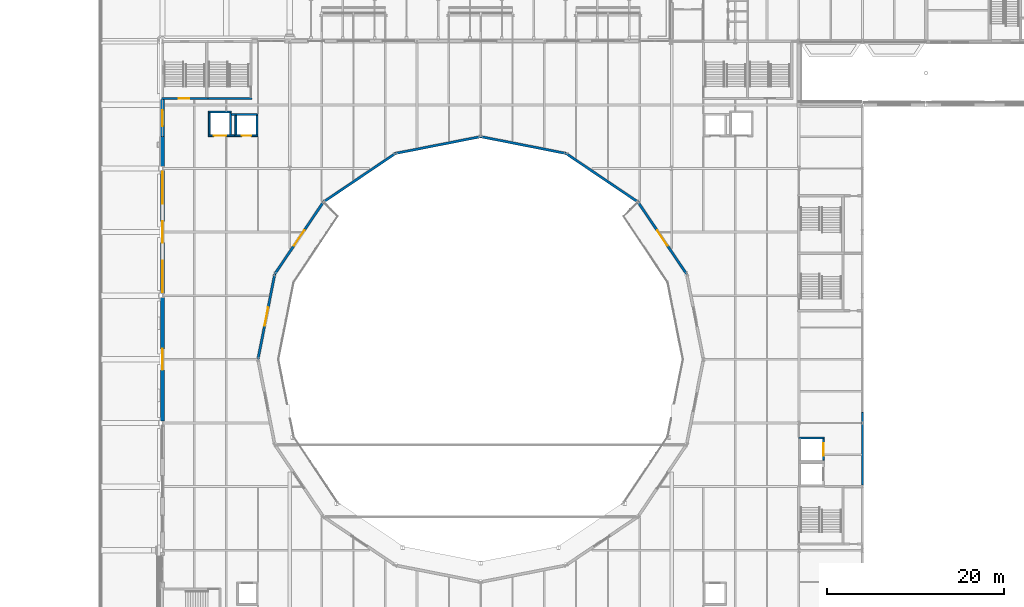
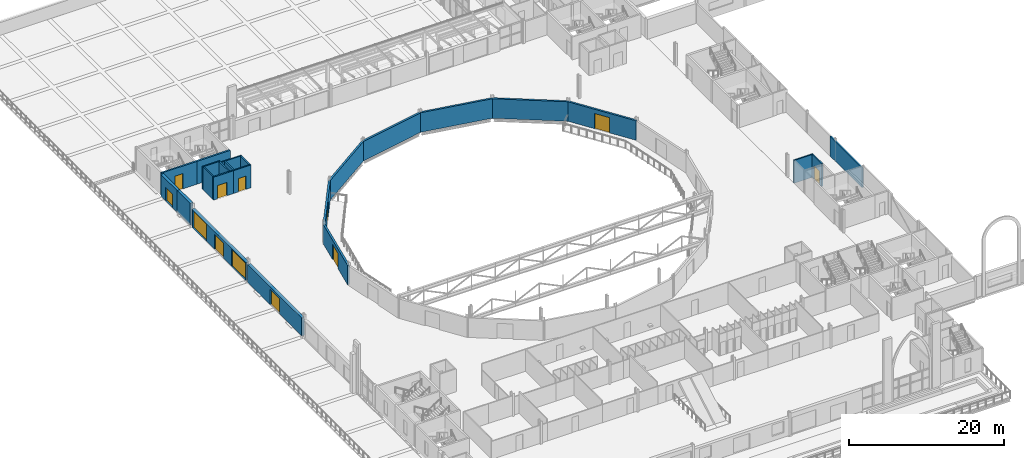
# One storey, part 74 of 143: 24 walls, 12 doors, 12 openings.
"""IFC4 building model written with IfcOpenShell, lengths in metres."""

import ifcopenshell
import ifcopenshell.guid

model = None  # the IFC model being written
_history = None  # IfcOwnerHistory: only IFC2X3 demands one
_inside = {}  # id of a spatial element -> (the spatial element, [elements in it])
_under = {}  # id of a project, library or spatial element -> (it, [spatial elements below it])
_declared = {}  # id of a project -> (the project, [libraries it declares])
_typed = {}  # id of a type object -> (the type object, [elements of that type])
_made_of = {}  # id of a material, layer set ... -> (it, [elements and type objects made of it])


def new_model(schema):
    """Start an empty IFC model of exactly this schema.

    Asked for "IFC4X3", IfcOpenShell would pick the latest addendum, in which some entities
    have other attributes; the version numbers below select the first issue.
    IFC2X3 requires an IfcOwnerHistory on every rooted entity: one is made here for all.
    """
    global model, _history
    if schema == "IFC4X3":
        model = ifcopenshell.file(schema_version=(4, 3, 0, 0))
    else:
        model = ifcopenshell.file(schema=schema)
    _inside.clear()
    _under.clear()
    _declared.clear()
    _typed.clear()
    _made_of.clear()
    _history = None
    if model.schema == "IFC2X3":
        org = make("IfcOrganization", Name="unknown")
        user = make(
            "IfcPersonAndOrganization",
            ThePerson=make("IfcPerson", FamilyName="unknown"),
            TheOrganization=org,
        )
        app = make(
            "IfcApplication",
            ApplicationDeveloper=org,
            Version="unknown",
            ApplicationFullName="unknown",
            ApplicationIdentifier="unknown",
        )
        _history = make(
            "IfcOwnerHistory",
            OwningUser=user,
            OwningApplication=app,
            ChangeAction="ADDED",
            CreationDate=0,
        )
    return model


def make(cls, **values):
    """One entity of the class cls with the attributes given. An attribute that is None is left unset."""
    return model.create_entity(
        cls, **{name: value for name, value in values.items() if value is not None}
    )


def rooted(cls, **values):
    """An entity with a GlobalId (a new one), such as an element, a storey or a relation."""
    return make(cls, GlobalId=ifcopenshell.guid.new(), OwnerHistory=_history, **values)


def si_unit(unit_type, name, prefix=None):
    """IfcSIUnit, for example si_unit("LENGTHUNIT", "METRE", prefix="MILLI")."""
    return make("IfcSIUnit", UnitType=unit_type, Prefix=prefix, Name=name)


def assignment(units):
    """IfcUnitAssignment: the units of a project."""
    return None if units is None else make("IfcUnitAssignment", Units=units)


def point(xyz):
    """IfcCartesianPoint."""
    return None if xyz is None else make("IfcCartesianPoint", Coordinates=xyz)


def direction(xyz):
    """IfcDirection."""
    return None if xyz is None else make("IfcDirection", DirectionRatios=xyz)


def frame(location, z_axis=None, x_axis=None):
    """IfcAxis2Placement3D, a coordinate frame: its origin and axes. An axis left out is left unset."""
    return make(
        "IfcAxis2Placement3D",
        Location=point(location),
        Axis=direction(z_axis),
        RefDirection=direction(x_axis),
    )


def frame_2d(location, x_axis=None):
    """IfcAxis2Placement2D, a coordinate frame in the plane: its origin and x axis."""
    return make(
        "IfcAxis2Placement2D", Location=point(location), RefDirection=direction(x_axis)
    )


def origin():
    """The frame at (0, 0, 0) with its axes left unset."""
    return frame((0.0, 0.0, 0.0))


def place(relative_to, where):
    """IfcLocalPlacement: puts the frame where relative to a parent placement (None: the world)."""
    return make(
        "IfcLocalPlacement", PlacementRelTo=relative_to, RelativePlacement=where
    )


def context(
    kind, dimensions, precision=None, world=None, true_north=None, identifier=None
):
    """IfcGeometricRepresentationContext, for example the 3D "Model" context."""
    return make(
        "IfcGeometricRepresentationContext",
        ContextIdentifier=identifier,
        ContextType=kind,
        CoordinateSpaceDimension=dimensions,
        Precision=precision,
        WorldCoordinateSystem=world,
        TrueNorth=true_north,
    )


def subcontext(parent, identifier, kind, view, scale=None):
    """IfcGeometricRepresentationSubContext, for example "Body" below "Model"."""
    return make(
        "IfcGeometricRepresentationSubContext",
        ContextIdentifier=identifier,
        ContextType=kind,
        ParentContext=parent,
        TargetScale=scale,
        TargetView=view,
    )


def project(units=None, contexts=None):
    """IfcProject with its units and contexts."""
    return rooted(
        "IfcProject",
        Name="project",
        RepresentationContexts=contexts,
        UnitsInContext=assignment(units),
    )


def spatial(cls, under=None, at=None, **own):
    """A site, building, storey or space (cls), placed at a placement, below another one or the project."""
    s = rooted(cls, ObjectPlacement=at, **own)
    if under is not None:
        _under.setdefault(under.id(), (under, []))[1].append(s)
    return s


def profile(cls, at=None, kind="AREA", **sizes):
    """A parametric profile (cls). Its sizes go by their IFC names, for example OverallWidth=200.0."""
    return make(cls, ProfileType=kind, Position=at, **sizes)


def rectangle(**sizes):
    """IfcRectangleProfileDef."""
    return profile("IfcRectangleProfileDef", **sizes)


def extrude(swept, where, along, depth):
    """IfcExtrudedAreaSolid: the profile swept, set in the frame where, extruded along a direction by depth."""
    return make(
        "IfcExtrudedAreaSolid",
        SweptArea=swept,
        Position=where,
        ExtrudedDirection=direction(along),
        Depth=depth,
    )


def shape(context_of_items, identifier, shape_type, items):
    """IfcShapeRepresentation: the items that make up one representation, for example the "Body"."""
    return make(
        "IfcShapeRepresentation",
        ContextOfItems=context_of_items,
        RepresentationIdentifier=identifier,
        RepresentationType=shape_type,
        Items=items,
    )


def material(Name=None, Category=None):
    """IfcMaterial."""
    return make("IfcMaterial", Name=Name, Category=Category)


def layer(
    of_material, thickness, ventilated=None, Name=None, Category=None, Priority=None
):
    """IfcMaterialLayer: one layer of a wall or slab, of a material (None: an air gap)."""
    return make(
        "IfcMaterialLayer",
        Material=of_material,
        LayerThickness=thickness,
        IsVentilated=ventilated,
        Name=Name,
        Category=Category,
        Priority=Priority,
    )


def layer_set(layers, Name=None):
    """IfcMaterialLayerSet."""
    return make("IfcMaterialLayerSet", MaterialLayers=layers, LayerSetName=Name)


def made_of(thing, what):
    """Note that an element or type object is made of a material, layer set ...; save() writes the relation."""
    if what is not None:
        _made_of.setdefault(what.id(), (what, []))[1].append(thing)
    return thing


def type_object(cls, material=None, **own):
    """A type object (cls), such as IfcWallType, which elements share."""
    return made_of(rooted(cls, **own), material)


def element(
    cls,
    number,
    at=None,
    inside=None,
    cuts=None,
    type_object=None,
    material=None,
    context=None,
    identifier="Body",
    shape_type=None,
    held_by="IfcProductDefinitionShape",
    body=None,
    shapes=None,
    **own,
):
    """One element of the class cls, such as IfcWall. Its Tag is "e" and its number.

    at: its placement. inside: the storey or other place that contains it. cuts: it is an
    opening in that element (IfcRelVoidsElement). A single representation is given by context,
    identifier, shape_type and body (its items); several are given by shapes. held_by: the class
    of the entity that holds the representations. save() writes the other relations.
    """
    e = rooted(cls, Tag="e%d" % number, ObjectPlacement=at, **own)
    if body is not None:
        shapes = [shape(context, identifier, shape_type, body)]
    if shapes is not None:
        e.Representation = make(held_by, Representations=shapes)
    if inside is not None:
        _inside.setdefault(inside.id(), (inside, []))[1].append(e)
    if cuts is not None:
        rooted(
            "IfcRelVoidsElement", RelatingBuildingElement=cuts, RelatedOpeningElement=e
        )
    if type_object is not None:
        _typed.setdefault(type_object.id(), (type_object, []))[1].append(e)
    return made_of(e, material)


def fill(opening, filler):
    """IfcRelFillsElement: the door or window that sits in an opening."""
    return rooted(
        "IfcRelFillsElement",
        RelatingOpeningElement=opening,
        RelatedBuildingElement=filler,
    )


def aggregate(whole, parts):
    """IfcRelAggregates: a whole, such as a stair, and the parts it consists of."""
    return rooted("IfcRelAggregates", RelatingObject=whole, RelatedObjects=parts)


def save(model, path):
    """Write the relations noted so far, then the file.

    IfcRelAggregates (storeys below a building ...), IfcRelContainedInSpatialStructure (elements
    in a storey), IfcRelDefinesByType, IfcRelAssociatesMaterial and IfcRelDeclares: one each for
    every whole, place, type object, material and project.
    """
    for whole, parts in _under.values():
        aggregate(whole, parts)
    for where, things in _inside.values():
        rooted(
            "IfcRelContainedInSpatialStructure",
            RelatedElements=things,
            RelatingStructure=where,
        )
    for kind, things in _typed.values():
        rooted("IfcRelDefinesByType", RelatedObjects=things, RelatingType=kind)
    for what, things in _made_of.values():
        rooted("IfcRelAssociatesMaterial", RelatedObjects=things, RelatingMaterial=what)
    for by, libraries in _declared.values():
        rooted("IfcRelDeclares", RelatingContext=by, RelatedDefinitions=libraries)
    model.write(path)


model = new_model("IFC4")

# Units and contexts
model_context = context("Model", 3, precision=1e-05, world=origin(), true_north=direction((0.0, 1.0)))
body_context = subcontext(model_context, "Body", "Model", "MODEL_VIEW")
ifc_project = project(units=[si_unit("LENGTHUNIT", "METRE"), si_unit("AREAUNIT", "SQUARE_METRE"), si_unit("VOLUMEUNIT", "CUBIC_METRE"), si_unit("PLANEANGLEUNIT", "RADIAN"), si_unit("MASSUNIT", "GRAM", prefix="KILO")], contexts=[model_context])

# Site, building, storey
site_placement = place(None, origin())
site = spatial("IfcSite", under=ifc_project, at=site_placement, CompositionType="ELEMENT")
building_placement = place(site_placement, origin())
building = spatial("IfcBuilding", under=site, at=building_placement, Name="Kupolbacken Congress Centre", CompositionType="ELEMENT")
storey_placement = place(building_placement, frame((0.0, 0.0, 7.199951171875)))
storey = spatial("IfcBuildingStorey", under=building, at=storey_placement, Name="L02", CompositionType="ELEMENT", Elevation=7.199951171875)

# Wall, opening, door
ifc_material_1 = material(Name="Limestone", Category="masonry")
ifc_layer_1 = layer(ifc_material_1, 0.1201171875)
ifc_material_2 = material(Name="Air cavity", Category="air")
ifc_layer_2 = layer(ifc_material_2, 0.0400390625, ventilated=True)
ifc_material_3 = material(Name="Mineral wool", Category="insulation")
ifc_layer_3 = layer(ifc_material_3, 0.159912109375)
ifc_material_4 = material(Name="Concrete block", Category="masonry")
ifc_layer_4 = layer(ifc_material_4, 0.1201171875)
ifc_layer_set_1 = layer_set([ifc_layer_1, ifc_layer_2, ifc_layer_3, ifc_layer_4], Name="Limestone / Mineral wool / Concrete block")
wall_type_1 = type_object("IfcWallType", Name="EW05 external cavity wall 440", PredefinedType="SOLIDWALL", material=ifc_layer_set_1)
wall_1_placement = place(storey_placement, frame((7.199951171875, 115.77490234375, 0.0), z_axis=(0.0, 0.0, 1.0), x_axis=(0.0, -1.0, 0.0)))
wall_1 = element("IfcWall", 1, at=wall_1_placement, inside=storey, type_object=wall_type_1, Name="E/P/W/L02/287", PredefinedType="SOLIDWALL", context=body_context, shape_type="SweptSolid", body=[
    extrude(rectangle(XDim=4.1748046875, YDim=0.43994140625, at=frame_2d((2.08740234375, 0.0))), origin(), (0.0, 0.0, 1.0), 3.420166015625),
])
opening_1_placement = place(wall_1_placement, frame((1.175048828125, 0.0, 0.014892578125)))
opening_1 = element("IfcOpeningElement", 2, at=opening_1_placement, cuts=wall_1, Name="Opening D48", PredefinedType="OPENING", context=body_context, shape_type="SweptSolid", body=[
    extrude(rectangle(XDim=1.800048828125, YDim=2.10009765625, at=frame_2d((0.89990234375, 1.050048828125))), frame((0.0, 0.22998046875, 0.0), z_axis=(0.0, -1.0, 0.0), x_axis=(1.0, 0.0, 0.0)), (0.0, 0.0, 1.0), 0.4599609375),
])
ifc_material_5 = material(Name="Steel fire door leaf", Category="steel")
door_type_1 = type_object("IfcDoorType", Name="D48 stair door 1800x2100 with 15 mm threshold", OperationType="DOUBLE_DOOR_SINGLE_SWING", PredefinedType="DOOR", material=ifc_material_5)
door_1_placement = place(opening_1_placement, frame((1.800048828125, 0.0, 0.0), z_axis=(0.0, 0.0, 1.0), x_axis=(-1.0, 0.0, 0.0)))
door_1 = element("IfcDoor", 3, at=door_1_placement, inside=storey, type_object=door_type_1, Name="Final exit U2", OperationType="DOUBLE_DOOR_SINGLE_SWING", OverallHeight=2.10009765625, OverallWidth=1.800048828125, PredefinedType="DOOR", context=body_context, shape_type="SweptSolid", body=[
    extrude(rectangle(XDim=1.800048828125, YDim=2.10009765625, at=frame_2d((0.89990234375, 1.050048828125))), frame((0.0, 0.02490234375, 0.0), z_axis=(0.0, -1.0, 0.0), x_axis=(1.0, 0.0, 0.0)), (0.0, 0.0, 1.0), 0.050048828125),
])
fill(opening_1, door_1)

# Wall
wall_2_placement = place(storey_placement, frame((7.199951171875, 111.60009765625, 0.0), z_axis=(0.0, 0.0, 1.0), x_axis=(0.0, -1.0, 0.0)))
element("IfcWall", 4, at=wall_2_placement, inside=storey, type_object=wall_type_1, Name="E/P/W/L02/288", PredefinedType="SOLIDWALL", context=body_context, shape_type="SweptSolid", body=[
    extrude(rectangle(XDim=3.375, YDim=0.43994140625, at=frame_2d((1.6875, 0.0))), origin(), (0.0, 0.0, 1.0), 3.420166015625),
])

# Wall, openings, doors
wall_3_placement = place(storey_placement, frame((7.199951171875, 107.77490234375, 0.0), z_axis=(0.0, 0.0, 1.0), x_axis=(0.0, -1.0, 0.0)))
wall_3 = element("IfcWall", 5, at=wall_3_placement, inside=storey, type_object=wall_type_1, Name="E/P/W/L02/289", PredefinedType="SOLIDWALL", context=body_context, shape_type="SweptSolid", body=[
    extrude(rectangle(XDim=13.949951171875, YDim=0.43994140625, at=frame_2d((6.97509765625, 0.0))), origin(), (0.0, 0.0, 1.0), 2.820068359375),
])
opening_2_placement = place(wall_3_placement, frame((0.14990234375, 0.0, 0.0)))
opening_2 = element("IfcOpeningElement", 6, at=opening_2_placement, cuts=wall_3, Name="Opening D40", PredefinedType="OPENING", context=body_context, shape_type="SweptSolid", body=[
    extrude(rectangle(XDim=3.60009765625, YDim=2.699951171875, at=frame_2d((1.800048828125, 1.35009765625))), frame((0.0, 0.22998046875, 0.0), z_axis=(0.0, -1.0, 0.0), x_axis=(1.0, 0.0, 0.0)), (0.0, 0.0, 1.0), 0.4599609375),
])
opening_3_placement = place(wall_3_placement, frame((5.77490234375, 0.0, 0.0)))
opening_3 = element("IfcOpeningElement", 7, at=opening_3_placement, cuts=wall_3, Name="Opening D18", PredefinedType="OPENING", context=body_context, shape_type="SweptSolid", body=[
    extrude(rectangle(XDim=2.39990234375, YDim=2.39990234375, at=frame_2d((1.199951171875, 1.199951171875))), frame((0.0, 0.22998046875, 0.0), z_axis=(0.0, -1.0, 0.0), x_axis=(1.0, 0.0, 0.0)), (0.0, 0.0, 1.0), 0.4599609375),
])
opening_4_placement = place(wall_3_placement, frame((10.199951171875, 0.0, 0.0)))
opening_4 = element("IfcOpeningElement", 8, at=opening_4_placement, cuts=wall_3, Name="Opening D40", PredefinedType="OPENING", context=body_context, shape_type="SweptSolid", body=[
    extrude(rectangle(XDim=3.60009765625, YDim=2.699951171875, at=frame_2d((1.800048828125, 1.35009765625))), frame((0.0, 0.22998046875, 0.0), z_axis=(0.0, -1.0, 0.0), x_axis=(1.0, 0.0, 0.0)), (0.0, 0.0, 1.0), 0.4599609375),
])
ifc_material_6 = material(Name="Timber door leaf", Category="wood")
door_type_2 = type_object("IfcDoorType", Name="D18 door 2400x2400", OperationType="DOUBLE_DOOR_SINGLE_SWING", PredefinedType="DOOR", material=ifc_material_6)
door_2_placement = place(opening_3_placement, frame((2.39990234375, 0.0, 0.0), z_axis=(0.0, 0.0, 1.0), x_axis=(-1.0, 0.0, 0.0)))
door_2 = element("IfcDoor", 9, at=door_2_placement, inside=storey, type_object=door_type_2, Name="West terrace door 4", OperationType="DOUBLE_DOOR_SINGLE_SWING", OverallHeight=2.39990234375, OverallWidth=2.39990234375, PredefinedType="DOOR", context=body_context, shape_type="SweptSolid", body=[
    extrude(rectangle(XDim=2.39990234375, YDim=2.39990234375, at=frame_2d((1.199951171875, 1.199951171875))), frame((0.0, 0.02490234375, 0.0), z_axis=(0.0, -1.0, 0.0), x_axis=(1.0, 0.0, 0.0)), (0.0, 0.0, 1.0), 0.050048828125),
])
fill(opening_3, door_2)
ifc_material_7 = material(Name="Aluminium framed glazed door", Category="aluminium")
door_type_3 = type_object("IfcDoorType", Name="D40 entrance door pair 3600x2700", OperationType="DOUBLE_DOOR_SINGLE_SWING", PredefinedType="DOOR", material=ifc_material_7)
door_3_placement = place(opening_2_placement, frame((3.60009765625, 0.0, 0.0), z_axis=(0.0, 0.0, 1.0), x_axis=(-1.0, 0.0, 0.0)))
door_3 = element("IfcDoor", 10, at=door_3_placement, inside=storey, type_object=door_type_3, Name="West terrace entrance 3", OperationType="DOUBLE_DOOR_SINGLE_SWING", OverallHeight=2.699951171875, OverallWidth=3.60009765625, PredefinedType="DOOR", context=body_context, shape_type="SweptSolid", body=[
    extrude(rectangle(XDim=3.60009765625, YDim=2.699951171875, at=frame_2d((1.800048828125, 1.35009765625))), frame((0.0, 0.02490234375, 0.0), z_axis=(0.0, -1.0, 0.0), x_axis=(1.0, 0.0, 0.0)), (0.0, 0.0, 1.0), 0.050048828125),
])
fill(opening_2, door_3)
door_4_placement = place(opening_4_placement, frame((3.60009765625, 0.0, 0.0), z_axis=(0.0, 0.0, 1.0), x_axis=(-1.0, 0.0, 0.0)))
door_4 = element("IfcDoor", 11, at=door_4_placement, inside=storey, type_object=door_type_3, Name="West terrace entrance 2", OperationType="DOUBLE_DOOR_SINGLE_SWING", OverallHeight=2.699951171875, OverallWidth=3.60009765625, PredefinedType="DOOR", context=body_context, shape_type="SweptSolid", body=[
    extrude(rectangle(XDim=3.60009765625, YDim=2.699951171875, at=frame_2d((1.800048828125, 1.35009765625))), frame((0.0, 0.02490234375, 0.0), z_axis=(0.0, -1.0, 0.0), x_axis=(1.0, 0.0, 0.0)), (0.0, 0.0, 1.0), 0.050048828125),
])
fill(opening_4, door_4)

# Wall, opening, door
wall_4_placement = place(storey_placement, frame((7.199951171875, 93.375, 0.0), z_axis=(0.0, 0.0, 1.0), x_axis=(0.0, -1.0, 0.0)))
wall_4 = element("IfcWall", 12, at=wall_4_placement, inside=storey, type_object=wall_type_1, Name="E/P/W/L02/290", PredefinedType="SOLIDWALL", context=body_context, shape_type="SweptSolid", body=[
    extrude(rectangle(XDim=13.949951171875, YDim=0.43994140625, at=frame_2d((6.97509765625, 0.0))), origin(), (0.0, 0.0, 1.0), 2.820068359375),
])
opening_5_placement = place(wall_4_placement, frame((5.77490234375, 0.0, 0.0)))
opening_5 = element("IfcOpeningElement", 13, at=opening_5_placement, cuts=wall_4, Name="Opening D18", PredefinedType="OPENING", context=body_context, shape_type="SweptSolid", body=[
    extrude(rectangle(XDim=2.39990234375, YDim=2.39990234375, at=frame_2d((1.199951171875, 1.199951171875))), frame((0.0, 0.22998046875, 0.0), z_axis=(0.0, -1.0, 0.0), x_axis=(1.0, 0.0, 0.0)), (0.0, 0.0, 1.0), 0.4599609375),
])
door_5_placement = place(opening_5_placement, frame((2.39990234375, 0.0, 0.0), z_axis=(0.0, 0.0, 1.0), x_axis=(-1.0, 0.0, 0.0)))
door_5 = element("IfcDoor", 14, at=door_5_placement, inside=storey, type_object=door_type_2, Name="West terrace door 3", OperationType="DOUBLE_DOOR_SINGLE_SWING", OverallHeight=2.39990234375, OverallWidth=2.39990234375, PredefinedType="DOOR", context=body_context, shape_type="SweptSolid", body=[
    extrude(rectangle(XDim=2.39990234375, YDim=2.39990234375, at=frame_2d((1.199951171875, 1.199951171875))), frame((0.0, 0.02490234375, 0.0), z_axis=(0.0, -1.0, 0.0), x_axis=(1.0, 0.0, 0.0)), (0.0, 0.0, 1.0), 0.050048828125),
])
fill(opening_5, door_5)

# Walls
ifc_material_8 = material(Name="Gypsum board", Category="drywall")
ifc_layer_5 = layer(ifc_material_8, 0.27490234375)
ifc_layer_set_2 = layer_set([ifc_layer_5], Name="Gypsum board")
wall_type_2 = type_object("IfcWallType", Name="P12 partition 275", PredefinedType="PARTITIONING", material=ifc_layer_set_2)
wall_5_placement = place(storey_placement, frame((43.199951171875, 111.60009765625, 0.0), z_axis=(0.0, 0.0, 1.0), x_axis=(-0.981159681755, -0.19319854787, 0.0)))
element("IfcWall", 15, at=wall_5_placement, inside=storey, type_object=wall_type_2, Name="PD/L02/W060", PredefinedType="PARTITIONING", context=body_context, shape_type="SweptSolid", body=[
    extrude(rectangle(XDim=9.835205078125, YDim=0.27490234375, at=frame_2d((4.91748046875, 0.0))), origin(), (0.0, 0.0, 1.0), 3.070068359375),
])
wall_6_placement = place(storey_placement, frame((33.550048828125, 109.699951171875, 0.0), z_axis=(0.0, 0.0, 1.0), x_axis=(-0.828912285216, -0.559378604719, 0.0)))
element("IfcWall", 16, at=wall_6_placement, inside=storey, type_object=wall_type_2, Name="PD/L02/W061", PredefinedType="PARTITIONING", context=body_context, shape_type="SweptSolid", body=[
    extrude(rectangle(XDim=9.832275390625, YDim=0.27490234375, at=frame_2d((4.916015625, 0.0))), origin(), (0.0, 0.0, 1.0), 3.070068359375),
])

# Wall, opening, door
wall_7_placement = place(storey_placement, frame((25.39990234375, 104.199951171875, 0.0), z_axis=(0.0, 0.0, 1.0), x_axis=(-0.559390118145, -0.828904515443, 0.0)))
wall_7 = element("IfcWall", 17, at=wall_7_placement, inside=storey, type_object=wall_type_2, Name="PD/L02/W062", PredefinedType="PARTITIONING", context=body_context, shape_type="SweptSolid", body=[
    extrude(rectangle(XDim=9.83203125, YDim=0.27490234375, at=frame_2d((4.916015625, 0.0))), origin(), (0.0, 0.0, 1.0), 3.070068359375),
])
opening_6_placement = place(wall_7_placement, frame((3.85009765625, 0.0, 0.0)))
opening_6 = element("IfcOpeningElement", 18, at=opening_6_placement, cuts=wall_7, Name="Opening 2.P14", PredefinedType="OPENING", context=body_context, shape_type="SweptSolid", body=[
    extrude(rectangle(XDim=2.10009765625, YDim=2.39990234375, at=frame_2d((1.050048828125, 1.199951171875))), frame((0.0, 0.1474609375, 0.0), z_axis=(0.0, -1.0, 0.0), x_axis=(1.0, 0.0, 0.0)), (0.0, 0.0, 1.0), 0.294921875),
])
ifc_material_9 = material(Name="Steel fire door leaf", Category="steel")
door_type_4 = type_object("IfcDoorType", Name="D17 fire door 2100x2400", OperationType="DOUBLE_DOOR_SINGLE_SWING", PredefinedType="DOOR", material=ifc_material_9)
door_6_placement = place(opening_6_placement, frame((2.10009765625, 0.0, 0.0), z_axis=(0.0, 0.0, 1.0), x_axis=(-1.0, 0.0, 0.0)))
door_6 = element("IfcDoor", 19, at=door_6_placement, inside=storey, type_object=door_type_4, Name="PD/L02/W062/D2P14", OperationType="DOUBLE_DOOR_SINGLE_SWING", OverallHeight=2.39990234375, OverallWidth=2.10009765625, PredefinedType="DOOR", context=body_context, shape_type="SweptSolid", body=[
    extrude(rectangle(XDim=2.10009765625, YDim=2.39990234375, at=frame_2d((1.050048828125, 1.199951171875))), frame((0.0, 0.02490234375, 0.0), z_axis=(0.0, -1.0, 0.0), x_axis=(1.0, 0.0, 0.0)), (0.0, 0.0, 1.0), 0.050048828125),
])
fill(opening_6, door_6)

wall_8_placement = place(storey_placement, frame((19.89990234375, 96.050048828125, 0.0), z_axis=(0.0, 0.0, 1.0), x_axis=(-0.1931699463, -0.98116531321, 0.0)))
wall_8 = element("IfcWall", 20, at=wall_8_placement, inside=storey, type_object=wall_type_2, Name="PD/L02/W063", PredefinedType="PARTITIONING", context=body_context, shape_type="SweptSolid", body=[
    extrude(rectangle(XDim=9.83544921875, YDim=0.27490234375, at=frame_2d((4.917724609375, 0.0))), origin(), (0.0, 0.0, 1.0), 3.070068359375),
])
opening_7_placement = place(wall_8_placement, frame((3.85009765625, 0.0, 0.0)))
opening_7 = element("IfcOpeningElement", 21, at=opening_7_placement, cuts=wall_8, Name="Opening 2.P15", PredefinedType="OPENING", context=body_context, shape_type="SweptSolid", body=[
    extrude(rectangle(XDim=2.10009765625, YDim=2.39990234375, at=frame_2d((1.050048828125, 1.199951171875))), frame((0.0, 0.1474609375, 0.0), z_axis=(0.0, -1.0, 0.0), x_axis=(1.0, 0.0, 0.0)), (0.0, 0.0, 1.0), 0.294921875),
])
door_7_placement = place(opening_7_placement, frame((2.10009765625, 0.0, 0.0), z_axis=(0.0, 0.0, 1.0), x_axis=(-1.0, 0.0, 0.0)))
door_7 = element("IfcDoor", 22, at=door_7_placement, inside=storey, type_object=door_type_4, Name="PD/L02/W063/D2P15", OperationType="DOUBLE_DOOR_SINGLE_SWING", OverallHeight=2.39990234375, OverallWidth=2.10009765625, PredefinedType="DOOR", context=body_context, shape_type="SweptSolid", body=[
    extrude(rectangle(XDim=2.10009765625, YDim=2.39990234375, at=frame_2d((1.050048828125, 1.199951171875))), frame((0.0, 0.02490234375, 0.0), z_axis=(0.0, -1.0, 0.0), x_axis=(1.0, 0.0, 0.0)), (0.0, 0.0, 1.0), 0.050048828125),
])
fill(opening_7, door_7)

wall_9_placement = place(storey_placement, frame((66.5, 96.050048828125, 0.0), z_axis=(0.0, 0.0, 1.0), x_axis=(-0.559390118145, 0.828904515443, 0.0)))
wall_9 = element("IfcWall", 23, at=wall_9_placement, inside=storey, type_object=wall_type_2, Name="PD/L02/W065", PredefinedType="PARTITIONING", context=body_context, shape_type="SweptSolid", body=[
    extrude(rectangle(XDim=9.83203125, YDim=0.27490234375, at=frame_2d((4.916015625, 0.0))), origin(), (0.0, 0.0, 1.0), 3.070068359375),
])
opening_8_placement = place(wall_9_placement, frame((3.85009765625, 0.0, 0.0)))
opening_8 = element("IfcOpeningElement", 24, at=opening_8_placement, cuts=wall_9, Name="Opening 2.P23", PredefinedType="OPENING", context=body_context, shape_type="SweptSolid", body=[
    extrude(rectangle(XDim=2.10009765625, YDim=2.39990234375, at=frame_2d((1.050048828125, 1.199951171875))), frame((0.0, 0.1474609375, 0.0), z_axis=(0.0, -1.0, 0.0), x_axis=(1.0, 0.0, 0.0)), (0.0, 0.0, 1.0), 0.294921875),
])
door_8_placement = place(opening_8_placement, frame((2.10009765625, 0.0, 0.0), z_axis=(0.0, 0.0, 1.0), x_axis=(-1.0, 0.0, 0.0)))
door_8 = element("IfcDoor", 25, at=door_8_placement, inside=storey, type_object=door_type_4, Name="PD/L02/W065/D2P23", OperationType="DOUBLE_DOOR_SINGLE_SWING", OverallHeight=2.39990234375, OverallWidth=2.10009765625, PredefinedType="DOOR", context=body_context, shape_type="SweptSolid", body=[
    extrude(rectangle(XDim=2.10009765625, YDim=2.39990234375, at=frame_2d((1.050048828125, 1.199951171875))), frame((0.0, 0.02490234375, 0.0), z_axis=(0.0, -1.0, 0.0), x_axis=(1.0, 0.0, 0.0)), (0.0, 0.0, 1.0), 0.050048828125),
])
fill(opening_8, door_8)

# Walls
wall_10_placement = place(storey_placement, frame((61.0, 104.199951171875, 0.0), z_axis=(0.0, 0.0, 1.0), x_axis=(-0.828904515443, 0.559390118145, 0.0)))
element("IfcWall", 26, at=wall_10_placement, inside=storey, type_object=wall_type_2, Name="PD/L02/W066", PredefinedType="PARTITIONING", context=body_context, shape_type="SweptSolid", body=[
    extrude(rectangle(XDim=9.83203125, YDim=0.27490234375, at=frame_2d((4.916015625, 0.0))), origin(), (0.0, 0.0, 1.0), 3.070068359375),
])
wall_11_placement = place(storey_placement, frame((52.85009765625, 109.699951171875, 0.0), z_axis=(0.0, 0.0, 1.0), x_axis=(-0.981160608262, 0.193193842541, 0.0)))
element("IfcWall", 27, at=wall_11_placement, inside=storey, type_object=wall_type_2, Name="PD/L02/W067", PredefinedType="PARTITIONING", context=body_context, shape_type="SweptSolid", body=[
    extrude(rectangle(XDim=9.83544921875, YDim=0.27490234375, at=frame_2d((4.917724609375, 0.0))), origin(), (0.0, 0.0, 1.0), 3.070068359375),
])
ifc_material_10 = material(Name="Dense concrete block", Category="masonry")
ifc_layer_6 = layer(ifc_material_10, 0.215087890625)
ifc_layer_set_3 = layer_set([ifc_layer_6], Name="Dense concrete block")
wall_type_3 = type_object("IfcWallType", Name="P15 partition 215", PredefinedType="PARTITIONING", material=ifc_layer_set_3)
wall_12_placement = place(storey_placement, frame((86.39990234375, 80.39990234375, 0.0), z_axis=(0.0, 0.0, 1.0), x_axis=(0.0, -1.0, 0.0)))
element("IfcWall", 28, at=wall_12_placement, inside=storey, type_object=wall_type_3, Name="PD/L02/W007", PredefinedType="PARTITIONING", context=body_context, shape_type="SweptSolid", body=[
    extrude(rectangle(XDim=8.239990234375, YDim=0.215087890625, at=frame_2d((4.1201171875, 0.0))), origin(), (0.0, 0.0, 1.0), 3.1201171875),
])

# Wall, opening, door
ifc_material_11 = material(Name="Concrete C40/50", Category="concrete")
ifc_layer_7 = layer(ifc_material_11, 0.199951171875)
ifc_layer_set_4 = layer_set([ifc_layer_7], Name="Concrete C40/50")
wall_type_4 = type_object("IfcWallType", Name="WC1 RC shaft wall 200", PredefinedType="SHEAR", material=ifc_layer_set_4)
wall_13_placement = place(storey_placement, frame((15.39990234375, 111.699951171875, 0.0), z_axis=(0.0, 0.0, 1.0), x_axis=(1.0, 0.0, 0.0)))
wall_13 = element("IfcWall", 29, at=wall_13_placement, inside=storey, type_object=wall_type_4, Name="Shaft wall LP7", PredefinedType="SHEAR", context=body_context, shape_type="SweptSolid", body=[
    extrude(rectangle(XDim=2.60009765625, YDim=0.199951171875, at=frame_2d((1.300048828125, 0.0))), origin(), (0.0, 0.0, 1.0), 3.60009765625),
])
opening_9_placement = place(wall_13_placement, frame((0.75, 0.0, 0.0)))
opening_9 = element("IfcOpeningElement", 30, at=opening_9_placement, cuts=wall_13, Name="Opening LD2", PredefinedType="OPENING", context=body_context, shape_type="SweptSolid", body=[
    extrude(rectangle(XDim=1.10009765625, YDim=2.10009765625, at=frame_2d((0.550048828125, 1.050048828125))), frame((0.0, 0.10986328125, 0.0), z_axis=(0.0, -1.0, 0.0), x_axis=(1.0, 0.0, 0.0)), (0.0, 0.0, 1.0), 0.219970703125),
])
ifc_material_12 = material(Name="Stainless steel door leaf", Category="steel")
door_type_5 = type_object("IfcDoorType", Name="LD2 lift landing door 1100x2100", OperationType="SLIDING_TO_LEFT", PredefinedType="DOOR", material=ifc_material_12)
door_9_placement = place(opening_9_placement, origin())
door_9 = element("IfcDoor", 31, at=door_9_placement, inside=storey, type_object=door_type_5, Name="Lift landing door LP7", OperationType="SLIDING_TO_LEFT", OverallHeight=2.10009765625, OverallWidth=1.10009765625, PredefinedType="DOOR", context=body_context, shape_type="SweptSolid", body=[
    extrude(rectangle(XDim=1.10009765625, YDim=2.10009765625, at=frame_2d((0.550048828125, 1.050048828125))), frame((0.0, 0.02490234375, 0.0), z_axis=(0.0, -1.0, 0.0), x_axis=(1.0, 0.0, 0.0)), (0.0, 0.0, 1.0), 0.050048828125),
])
fill(opening_9, door_9)

# Walls
wall_14_placement = place(storey_placement, frame((15.0, 114.10009765625, 0.0), z_axis=(0.0, 0.0, 1.0), x_axis=(1.0, 0.0, 0.0)))
element("IfcWall", 32, at=wall_14_placement, inside=storey, type_object=wall_type_4, Name="Shaft wall LP7", PredefinedType="SHEAR", context=body_context, shape_type="SweptSolid", body=[
    extrude(rectangle(XDim=3.0, YDim=0.199951171875, at=frame_2d((1.5, 0.0))), origin(), (0.0, 0.0, 1.0), 3.60009765625),
])
for number, where, z_axis, x_axis, name in (
    (33, (15.5, 111.800048828125, 0.0), (0.0, 0.0, 1.0), (0.0, 1.0, 0.0), "Shaft wall LP7"),
    (34, (17.89990234375, 111.800048828125, 0.0), (0.0, 0.0, 1.0), (0.0, 1.0, 0.0), "Shaft wall LP7"),
):
    element("IfcWall", number, at=place(storey_placement, frame(where, z_axis=z_axis, x_axis=x_axis)), inside=storey, type_object=wall_type_4, Name=name, PredefinedType="SHEAR", context=body_context, shape_type="SweptSolid", body=[
        extrude(rectangle(XDim=2.199951171875, YDim=0.199951171875, at=frame_2d((1.10009765625, 0.0))), origin(), (0.0, 0.0, 1.0), 3.60009765625),
    ])

# Wall, opening, door
wall_15_placement = place(storey_placement, frame((12.39990234375, 111.699951171875, 0.0), z_axis=(0.0, 0.0, 1.0), x_axis=(1.0, 0.0, 0.0)))
wall_15 = element("IfcWall", 35, at=wall_15_placement, inside=storey, type_object=wall_type_4, Name="Shaft wall LG1", PredefinedType="SHEAR", context=body_context, shape_type="SweptSolid", body=[
    extrude(rectangle(XDim=3.0, YDim=0.199951171875, at=frame_2d((1.5, 0.0))), origin(), (0.0, 0.0, 1.0), 3.60009765625),
])
opening_10_placement = place(wall_15_placement, frame((0.60009765625, 0.0, 0.0)))
opening_10 = element("IfcOpeningElement", 36, at=opening_10_placement, cuts=wall_15, Name="Opening LD3", PredefinedType="OPENING", context=body_context, shape_type="SweptSolid", body=[
    extrude(rectangle(XDim=1.39990234375, YDim=2.10009765625, at=frame_2d((0.699951171875, 1.050048828125))), frame((0.0, 0.10986328125, 0.0), z_axis=(0.0, -1.0, 0.0), x_axis=(1.0, 0.0, 0.0)), (0.0, 0.0, 1.0), 0.219970703125),
])
ifc_material_13 = material(Name="Stainless steel door leaf", Category="steel")
door_type_6 = type_object("IfcDoorType", Name="LD3 lift landing door 1400x2100", OperationType="SLIDING_TO_LEFT", PredefinedType="DOOR", material=ifc_material_13)
door_10_placement = place(opening_10_placement, origin())
door_10 = element("IfcDoor", 37, at=door_10_placement, inside=storey, type_object=door_type_6, Name="Lift landing door LG1", OperationType="SLIDING_TO_LEFT", OverallHeight=2.10009765625, OverallWidth=1.39990234375, PredefinedType="DOOR", context=body_context, shape_type="SweptSolid", body=[
    extrude(rectangle(XDim=1.39990234375, YDim=2.10009765625, at=frame_2d((0.699951171875, 1.050048828125))), frame((0.0, 0.02490234375, 0.0), z_axis=(0.0, -1.0, 0.0), x_axis=(1.0, 0.0, 0.0)), (0.0, 0.0, 1.0), 0.050048828125),
])
fill(opening_10, door_10)

# Walls
wall_16_placement = place(storey_placement, frame((12.39990234375, 114.39990234375, 0.0), z_axis=(0.0, 0.0, 1.0), x_axis=(1.0, 0.0, 0.0)))
element("IfcWall", 38, at=wall_16_placement, inside=storey, type_object=wall_type_4, Name="Shaft wall LG1", PredefinedType="SHEAR", context=body_context, shape_type="SweptSolid", body=[
    extrude(rectangle(XDim=2.60009765625, YDim=0.199951171875, at=frame_2d((1.300048828125, 0.0))), origin(), (0.0, 0.0, 1.0), 3.60009765625),
])
for number, where, z_axis, x_axis, name in (
    (39, (12.5, 111.800048828125, 0.0), (0.0, 0.0, 1.0), (0.0, 1.0, 0.0), "Shaft wall LG1"),
    (40, (14.89990234375, 111.800048828125, 0.0), (0.0, 0.0, 1.0), (0.0, 1.0, 0.0), "Shaft wall LG1"),
):
    element("IfcWall", number, at=place(storey_placement, frame(where, z_axis=z_axis, x_axis=x_axis)), inside=storey, type_object=wall_type_4, Name=name, PredefinedType="SHEAR", context=body_context, shape_type="SweptSolid", body=[
        extrude(rectangle(XDim=2.5, YDim=0.199951171875, at=frame_2d((1.25, 0.0))), origin(), (0.0, 0.0, 1.0), 3.60009765625),
    ])
wall_17_placement = place(storey_placement, frame((79.199951171875, 77.5, 0.0), z_axis=(0.0, 0.0, 1.0), x_axis=(1.0, 0.0, 0.0)))
element("IfcWall", 41, at=wall_17_placement, inside=storey, type_object=wall_type_4, Name="Shaft wall LG4", PredefinedType="SHEAR", context=body_context, shape_type="SweptSolid", body=[
    extrude(rectangle(XDim=2.900146484375, YDim=0.199951171875, at=frame_2d((1.4501953125, 0.0))), origin(), (0.0, 0.0, 1.0), 3.60009765625),
])

# Wall, opening, door
wall_18_placement = place(storey_placement, frame((82.0, 75.0, 0.0), z_axis=(0.0, 0.0, 1.0), x_axis=(0.0, 1.0, 0.0)))
wall_18 = element("IfcWall", 42, at=wall_18_placement, inside=storey, type_object=wall_type_4, Name="Shaft wall LG4", PredefinedType="SHEAR", context=body_context, shape_type="SweptSolid", body=[
    extrude(rectangle(XDim=2.39990234375, YDim=0.199951171875, at=frame_2d((1.199951171875, 0.0))), origin(), (0.0, 0.0, 1.0), 3.60009765625),
])
opening_11_placement = place(wall_18_placement, frame((0.5, 0.0, 0.0)))
opening_11 = element("IfcOpeningElement", 43, at=opening_11_placement, cuts=wall_18, Name="Opening LD3", PredefinedType="OPENING", context=body_context, shape_type="SweptSolid", body=[
    extrude(rectangle(XDim=1.39990234375, YDim=2.10009765625, at=frame_2d((0.699951171875, 1.050048828125))), frame((0.0, 0.10986328125, 0.0), z_axis=(0.0, -1.0, 0.0), x_axis=(1.0, 0.0, 0.0)), (0.0, 0.0, 1.0), 0.219970703125),
])
door_11_placement = place(opening_11_placement, origin())
door_11 = element("IfcDoor", 44, at=door_11_placement, inside=storey, type_object=door_type_6, Name="Lift landing door LG4", OperationType="SLIDING_TO_LEFT", OverallHeight=2.10009765625, OverallWidth=1.39990234375, PredefinedType="DOOR", context=body_context, shape_type="SweptSolid", body=[
    extrude(rectangle(XDim=1.39990234375, YDim=2.10009765625, at=frame_2d((0.699951171875, 1.050048828125))), frame((0.0, 0.02490234375, 0.0), z_axis=(0.0, -1.0, 0.0), x_axis=(1.0, 0.0, 0.0)), (0.0, 0.0, 1.0), 0.050048828125),
])
fill(opening_11, door_11)

ifc_material_14 = material(Name="Concrete C40/50", Category="concrete")
ifc_layer_8 = layer(ifc_material_14, 0.25)
ifc_layer_set_5 = layer_set([ifc_layer_8], Name="Concrete C40/50")
wall_type_5 = type_object("IfcWallType", Name="WC2 RC stair enclosure wall 250", PredefinedType="SHEAR", material=ifc_layer_set_5)
wall_19_placement = place(storey_placement, frame((7.074951171875, 115.89990234375, 0.0), z_axis=(0.0, 0.0, 1.0), x_axis=(1.0, 0.0, 0.0)))
wall_19 = element("IfcWall", 45, at=wall_19_placement, inside=storey, type_object=wall_type_5, Name="Stair enclosure wall L02-064", PredefinedType="SHEAR", context=body_context, shape_type="SweptSolid", body=[
    extrude(rectangle(XDim=5.25, YDim=0.25, at=frame_2d((2.625, 0.0))), origin(), (0.0, 0.0, 1.0), 3.60009765625),
])
opening_12_placement = place(wall_19_placement, frame((1.97509765625, 0.0, 0.0)))
opening_12 = element("IfcOpeningElement", 46, at=opening_12_placement, cuts=wall_19, Name="Opening 2.P05", PredefinedType="OPENING", context=body_context, shape_type="SweptSolid", body=[
    extrude(rectangle(XDim=1.199951171875, YDim=2.39990234375, at=frame_2d((0.60009765625, 1.199951171875))), frame((0.0, 0.135009765625, 0.0), z_axis=(0.0, -1.0, 0.0), x_axis=(1.0, 0.0, 0.0)), (0.0, 0.0, 1.0), 0.27001953125),
])
ifc_material_15 = material(Name="Steel fire door leaf", Category="steel")
door_type_7 = type_object("IfcDoorType", Name="D9 fire door 1200x2400", OperationType="SINGLE_SWING_LEFT", PredefinedType="DOOR", material=ifc_material_15)
door_12_placement = place(opening_12_placement, origin())
door_12 = element("IfcDoor", 47, at=door_12_placement, inside=storey, type_object=door_type_7, Name="S/core/L02/064/D2P05", OperationType="SINGLE_SWING_RIGHT", OverallHeight=2.39990234375, OverallWidth=1.199951171875, PredefinedType="DOOR", context=body_context, shape_type="SweptSolid", body=[
    extrude(rectangle(XDim=1.199951171875, YDim=2.39990234375, at=frame_2d((0.60009765625, 1.199951171875))), frame((0.0, 0.02490234375, 0.0), z_axis=(0.0, -1.0, 0.0), x_axis=(1.0, 0.0, 0.0)), (0.0, 0.0, 1.0), 0.050048828125),
])
fill(opening_12, door_12)

# Wall
wall_20_placement = place(storey_placement, frame((12.324951171875, 115.89990234375, 0.0), z_axis=(0.0, 0.0, 1.0), x_axis=(1.0, 0.0, 0.0)))
element("IfcWall", 48, at=wall_20_placement, inside=storey, type_object=wall_type_5, Name="Stair enclosure wall L02-065", PredefinedType="SHEAR", context=body_context, shape_type="SweptSolid", body=[
    extrude(rectangle(XDim=5.0, YDim=0.25, at=frame_2d((2.5, 0.0))), origin(), (0.0, 0.0, 1.0), 3.60009765625),
])

save(model, "model.ifc")
